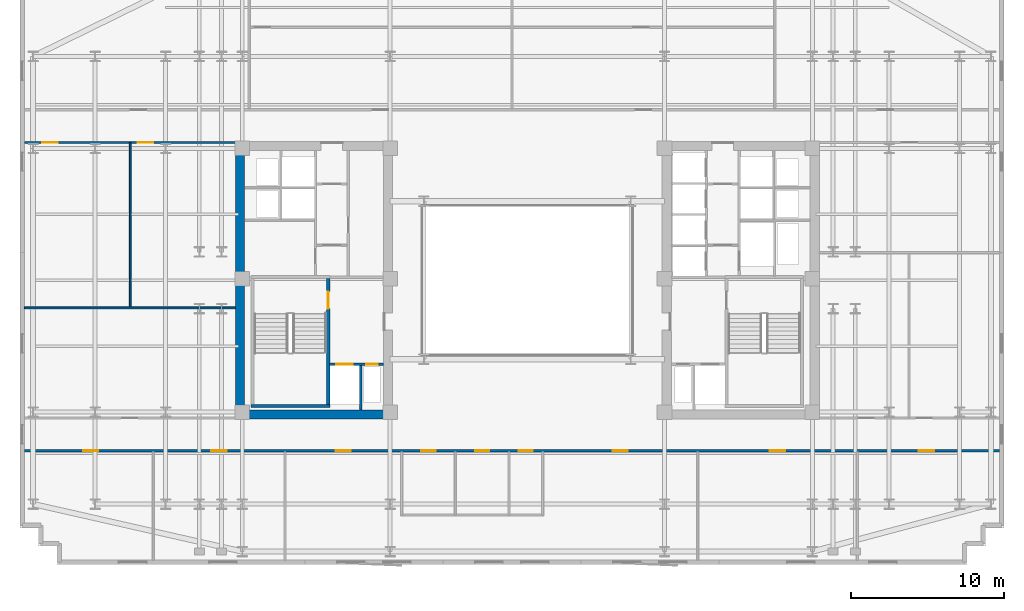
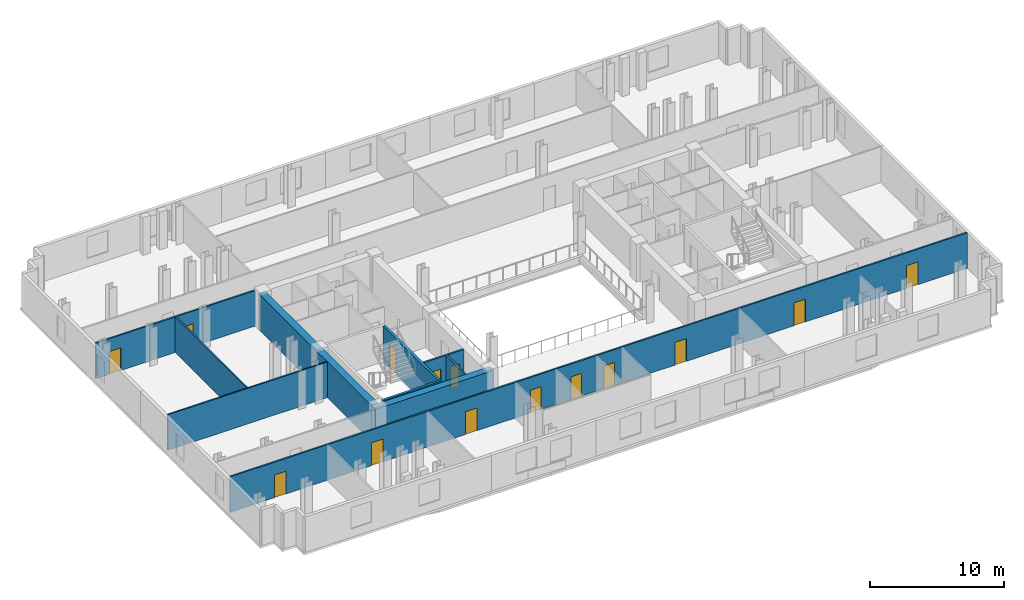
# One storey, part 4 of 10: 14 doors, 10 walls, 14 openings.
"""IFC4 building model written with IfcOpenShell, lengths in metres."""

from ifc_helpers import new_model, si_unit, direction, frame, frame_2d, origin, place, context, subcontext, project, spatial, rectangle, extrude, material, layer, layer_set, type_object, element, fill, save


model = new_model("IFC4")

# Units and contexts
model_context = context("Model", 3, precision=1e-05, world=origin(), true_north=direction((0.0, 1.0)))
body_context = subcontext(model_context, "Body", "Model", "MODEL_VIEW")
ifc_project = project(units=[si_unit("LENGTHUNIT", "METRE"), si_unit("AREAUNIT", "SQUARE_METRE"), si_unit("VOLUMEUNIT", "CUBIC_METRE"), si_unit("PLANEANGLEUNIT", "RADIAN"), si_unit("MASSUNIT", "GRAM", prefix="KILO")], contexts=[model_context])

# Site, building, storey
site_placement = place(None, origin())
site = spatial("IfcSite", under=ifc_project, at=site_placement, CompositionType="ELEMENT")
building_placement = place(site_placement, origin())
building = spatial("IfcBuilding", under=site, at=building_placement, Name="Velakula Bourse", CompositionType="ELEMENT")
storey_placement = place(building_placement, frame((0.0, 0.0, 145.0)))
storey = spatial("IfcBuildingStorey", under=building, at=storey_placement, Name="L39", CompositionType="ELEMENT", Elevation=145.0)

# Wall, opening, door
ifc_material_1 = material(Name="Concrete M50 (fck 50 MPa)", Category="concrete")
ifc_layer_1 = layer(ifc_material_1, 0.2099609375, Name="Concrete M50 (fck 50 MPa)", Category="concrete")
ifc_layer_set_1 = layer_set([ifc_layer_1], Name="Concrete M50 (fck 50 MPa)")
wall_type_1 = type_object("IfcWallType", Name="WL-CORE-210", PredefinedType="SHEAR", material=ifc_layer_set_1)
wall_1_placement = place(storey_placement, frame((-12.9951171875, -8.10009765625, 0.0), z_axis=(0.0, 0.0, 1.0), x_axis=(0.0, 1.0, 0.0)))
wall_1 = element("IfcWall", 1, at=wall_1_placement, inside=storey, type_object=wall_type_1, Name="L39 Core W Stairwell Shear Wall IN", PredefinedType="SHEAR", context=body_context, shape_type="SweptSolid", body=[
    extrude(rectangle(XDim=8.2001953125, YDim=0.2099609375, at=frame_2d((4.10009765625, 0.0))), origin(), (0.0, 0.0, 1.0), 3.27001953125),
])
opening_1_placement = place(wall_1_placement, frame((6.25, 0.0, 0.0)))
opening_1 = element("IfcOpeningElement", 2, at=opening_1_placement, cuts=wall_1, Name="Opening D-STW1", PredefinedType="OPENING", context=body_context, shape_type="SweptSolid", body=[
    extrude(rectangle(XDim=1.10009765625, YDim=2.14990234375, at=frame_2d((0.550048828125, 1.074951171875))), frame((0.0, 0.114990234375, 0.0), z_axis=(0.0, -1.0, 0.0), x_axis=(1.0, 0.0, 0.0)), (0.0, 0.0, 1.0), 0.22998046875),
])
ifc_material_2 = material(Name="Galvanised painted hollow steel fire door", Category="steel")
door_type_1 = type_object("IfcDoorType", Name="DR-FD120-1100x2150", OperationType="NOTDEFINED", PredefinedType="DOOR", material=ifc_material_2)
door_1_placement = place(opening_1_placement, origin())
door_1 = element("IfcDoor", 3, at=door_1_placement, inside=storey, type_object=door_type_1, Name="L39 Stair ST-W1 Fire Door", OperationType="SINGLE_SWING_LEFT", OverallHeight=2.14990234375, OverallWidth=1.10009765625, PredefinedType="DOOR", context=body_context, shape_type="SweptSolid", body=[
    extrude(rectangle(XDim=1.10009765625, YDim=2.14990234375, at=frame_2d((0.550048828125, 1.074951171875))), frame((0.0, 0.02490234375, 0.0), z_axis=(0.0, -1.0, 0.0), x_axis=(1.0, 0.0, 0.0)), (0.0, 0.0, 1.0), 0.050048828125),
])
fill(opening_1, door_1)

# Walls
wall_2_placement = place(storey_placement, frame((-18.030029296875, -8.205078125, 0.0), z_axis=(0.0, 0.0, 1.0), x_axis=(1.0, 0.0, 0.0)))
element("IfcWall", 4, at=wall_2_placement, inside=storey, type_object=wall_type_1, Name="L39 Core W Stairwell Shear Wall S", PredefinedType="SHEAR", context=body_context, shape_type="SweptSolid", body=[
    extrude(rectangle(XDim=5.14013671875, YDim=0.2099609375, at=frame_2d((2.570068359375, 0.0))), origin(), (0.0, 0.0, 1.0), 3.27001953125),
])
ifc_material_3 = material(Name="Concrete M70 (fck 70 MPa)", Category="concrete")
ifc_layer_2 = layer(ifc_material_3, 0.60009765625, Name="Concrete M70 (fck 70 MPa)", Category="concrete")
ifc_layer_set_2 = layer_set([ifc_layer_2], Name="Concrete M70 (fck 70 MPa)")
wall_type_2 = type_object("IfcWallType", Name="WL-CORE-600", PredefinedType="SHEAR", material=ifc_layer_set_2)
wall_3_placement = place(storey_placement, frame((-19.050048828125, -8.75, 0.0), z_axis=(0.0, 0.0, 1.0), x_axis=(1.0, 0.0, 0.0)))
element("IfcWall", 5, at=wall_3_placement, inside=storey, type_object=wall_type_2, Name="L39 Core W Shear Wall S", PredefinedType="SHEAR", context=body_context, shape_type="SweptSolid", body=[
    extrude(rectangle(XDim=10.25, YDim=0.60009765625, at=frame_2d((5.125, 0.0))), origin(), (0.0, 0.0, 1.0), 3.27001953125),
])
wall_4_placement = place(storey_placement, frame((-18.75, -8.449951171875, 0.0), z_axis=(0.0, 0.0, 1.0), x_axis=(0.0, 1.0, 0.0)))
element("IfcWall", 6, at=wall_4_placement, inside=storey, type_object=wall_type_2, Name="L39 Core W Shear Wall W", PredefinedType="SHEAR", context=body_context, shape_type="SweptSolid", body=[
    extrude(rectangle(XDim=16.89990234375, YDim=0.60009765625, at=frame_2d((8.449951171875, 0.0))), origin(), (0.0, 0.0, 1.0), 3.27001953125),
])
ifc_material_4 = material(Name="Fire-rated double-layer gypsum drywall partition", Category="gypsum")
ifc_layer_3 = layer(ifc_material_4, 0.1201171875, Name="Fire-rated double-layer gypsum drywall partition", Category="gypsum")
ifc_layer_set_3 = layer_set([ifc_layer_3], Name="Fire-rated double-layer gypsum drywall partition")
wall_type_3 = type_object("IfcWallType", Name="WL-PART-120", PredefinedType="STANDARD", material=ifc_layer_set_3)
wall_5_placement = place(storey_placement, frame((-32.820068359375, -1.800048828125, 0.0), z_axis=(0.0, 0.0, 1.0), x_axis=(1.0, 0.0, 0.0)))
element("IfcWall", 7, at=wall_5_placement, inside=storey, type_object=wall_type_3, Name="L39 Interior Partition WL-INT-L39-W-H", PredefinedType="STANDARD", context=body_context, shape_type="SweptSolid", body=[
    extrude(rectangle(XDim=13.77001953125, YDim=0.1201171875, at=frame_2d((6.885009765625, 0.0))), origin(), (0.0, 0.0, 1.0), 3.25),
])
wall_6_placement = place(storey_placement, frame((-25.905029296875, -1.739990234375, 0.0), z_axis=(0.0, 0.0, 1.0), x_axis=(0.0, 1.0, 0.0)))
element("IfcWall", 8, at=wall_6_placement, inside=storey, type_object=wall_type_3, Name="L39 Interior Partition WL-INT-L39-W-VN", PredefinedType="STANDARD", context=body_context, shape_type="SweptSolid", body=[
    extrude(rectangle(XDim=10.719970703125, YDim=0.1201171875, at=frame_2d((5.35986328125, 0.0))), origin(), (0.0, 0.0, 1.0), 3.25),
])

# Wall, openings, doors
ifc_layer_4 = layer(ifc_material_4, 0.139892578125, Name="Fire-rated double-layer gypsum drywall partition", Category="gypsum")
ifc_layer_set_4 = layer_set([ifc_layer_4], Name="Fire-rated double-layer gypsum drywall partition")
wall_type_4 = type_object("IfcWallType", Name="WL-PART-140", PredefinedType="STANDARD", material=ifc_layer_set_4)
wall_7_placement = place(storey_placement, frame((-32.820068359375, -11.1201171875, 0.0), z_axis=(0.0, 0.0, 1.0), x_axis=(1.0, 0.0, 0.0)))
wall_7 = element("IfcWall", 9, at=wall_7_placement, inside=storey, type_object=wall_type_4, Name="L39 Interior Partition WL-INT-L39-S-CORR", PredefinedType="STANDARD", context=body_context, shape_type="SweptSolid", body=[
    extrude(rectangle(XDim=63.64013671875, YDim=0.139892578125, at=frame_2d((31.820068359375, 0.0))), origin(), (0.0, 0.0, 1.0), 3.25),
])
opening_2_placement = place(wall_7_placement, frame((25.909912109375, 0.0, 0.0)))
opening_2 = element("IfcOpeningElement", 10, at=opening_2_placement, cuts=wall_7, Name="Opening D-WT1", PredefinedType="OPENING", context=body_context, shape_type="SweptSolid", body=[
    extrude(rectangle(XDim=0.919921875, YDim=2.080078125, at=frame_2d((0.4599609375, 1.0400390625))), frame((0.0, 0.079833984375, 0.0), z_axis=(0.0, -1.0, 0.0), x_axis=(1.0, 0.0, 0.0)), (0.0, 0.0, 1.0), 0.159912109375),
])
opening_3_placement = place(wall_7_placement, frame((29.409912109375, 0.0, 0.0)))
opening_3 = element("IfcOpeningElement", 11, at=opening_3_placement, cuts=wall_7, Name="Opening D-WT1", PredefinedType="OPENING", context=body_context, shape_type="SweptSolid", body=[
    extrude(rectangle(XDim=0.919921875, YDim=2.080078125, at=frame_2d((0.4599609375, 1.0400390625))), frame((0.0, 0.079833984375, 0.0), z_axis=(0.0, -1.0, 0.0), x_axis=(1.0, 0.0, 0.0)), (0.0, 0.0, 1.0), 0.159912109375),
])
opening_4_placement = place(wall_7_placement, frame((32.260009765625, 0.0, 0.0)))
opening_4 = element("IfcOpeningElement", 12, at=opening_4_placement, cuts=wall_7, Name="Opening D-WC1", PredefinedType="OPENING", context=body_context, shape_type="SweptSolid", body=[
    extrude(rectangle(XDim=0.919921875, YDim=2.080078125, at=frame_2d((0.4599609375, 1.0400390625))), frame((0.0, 0.079833984375, 0.0), z_axis=(0.0, -1.0, 0.0), x_axis=(1.0, 0.0, 0.0)), (0.0, 0.0, 1.0), 0.159912109375),
])
opening_5_placement = place(wall_7_placement, frame((3.8310546875, 0.0, 0.0)))
opening_5 = element("IfcOpeningElement", 13, at=opening_5_placement, cuts=wall_7, Name="Opening D-OF1", PredefinedType="OPENING", context=body_context, shape_type="SweptSolid", body=[
    extrude(rectangle(XDim=1.0, YDim=2.080078125, at=frame_2d((0.5, 1.0400390625))), frame((0.0, 0.079833984375, 0.0), z_axis=(0.0, -1.0, 0.0), x_axis=(1.0, 0.0, 0.0)), (0.0, 0.0, 1.0), 0.159912109375),
])
opening_6_placement = place(wall_7_placement, frame((12.2080078125, 0.0, 0.0)))
opening_6 = element("IfcOpeningElement", 14, at=opening_6_placement, cuts=wall_7, Name="Opening D-OF1", PredefinedType="OPENING", context=body_context, shape_type="SweptSolid", body=[
    extrude(rectangle(XDim=1.0, YDim=2.080078125, at=frame_2d((0.5, 1.0400390625))), frame((0.0, 0.079833984375, 0.0), z_axis=(0.0, -1.0, 0.0), x_axis=(1.0, 0.0, 0.0)), (0.0, 0.0, 1.0), 0.159912109375),
])
opening_7_placement = place(wall_7_placement, frame((20.31298828125, 0.0, 0.0)))
opening_7 = element("IfcOpeningElement", 15, at=opening_7_placement, cuts=wall_7, Name="Opening D-OF1", PredefinedType="OPENING", context=body_context, shape_type="SweptSolid", body=[
    extrude(rectangle(XDim=1.0, YDim=2.080078125, at=frame_2d((0.5, 1.0400390625))), frame((0.0, 0.079833984375, 0.0), z_axis=(0.0, -1.0, 0.0), x_axis=(1.0, 0.0, 0.0)), (0.0, 0.0, 1.0), 0.159912109375),
])
opening_8_placement = place(wall_7_placement, frame((38.37890625, 0.0, 0.0)))
opening_8 = element("IfcOpeningElement", 16, at=opening_8_placement, cuts=wall_7, Name="Opening D-OF1", PredefinedType="OPENING", context=body_context, shape_type="SweptSolid", body=[
    extrude(rectangle(XDim=1.0, YDim=2.080078125, at=frame_2d((0.5, 1.0400390625))), frame((0.0, 0.079833984375, 0.0), z_axis=(0.0, -1.0, 0.0), x_axis=(1.0, 0.0, 0.0)), (0.0, 0.0, 1.0), 0.159912109375),
])
opening_9_placement = place(wall_7_placement, frame((48.64599609375, 0.0, 0.0)))
opening_9 = element("IfcOpeningElement", 17, at=opening_9_placement, cuts=wall_7, Name="Opening D-OF1", PredefinedType="OPENING", context=body_context, shape_type="SweptSolid", body=[
    extrude(rectangle(XDim=1.0, YDim=2.080078125, at=frame_2d((0.5, 1.0400390625))), frame((0.0, 0.079833984375, 0.0), z_axis=(0.0, -1.0, 0.0), x_axis=(1.0, 0.0, 0.0)), (0.0, 0.0, 1.0), 0.159912109375),
])
opening_10_placement = place(wall_7_placement, frame((58.37109375, 0.0, 0.0)))
opening_10 = element("IfcOpeningElement", 18, at=opening_10_placement, cuts=wall_7, Name="Opening D-OF1", PredefinedType="OPENING", context=body_context, shape_type="SweptSolid", body=[
    extrude(rectangle(XDim=1.0, YDim=2.080078125, at=frame_2d((0.5, 1.0400390625))), frame((0.0, 0.079833984375, 0.0), z_axis=(0.0, -1.0, 0.0), x_axis=(1.0, 0.0, 0.0)), (0.0, 0.0, 1.0), 0.159912109375),
])
ifc_material_5 = material(Name="Fire-rated hardwood flush architectural door", Category="wood")
door_type_2 = type_object("IfcDoorType", Name="DR-OFF-1000", OperationType="NOTDEFINED", PredefinedType="DOOR", material=ifc_material_5)
door_2_placement = place(opening_5_placement, origin())
door_2 = element("IfcDoor", 19, at=door_2_placement, inside=storey, type_object=door_type_2, Name="L39 Breakout Dining Lounge Door", OperationType="SINGLE_SWING_RIGHT", OverallHeight=2.080078125, OverallWidth=1.0, PredefinedType="DOOR", context=body_context, shape_type="SweptSolid", body=[
    extrude(rectangle(XDim=1.0, YDim=2.080078125, at=frame_2d((0.5, 1.0400390625))), frame((0.0, 0.02490234375, 0.0), z_axis=(0.0, -1.0, 0.0), x_axis=(1.0, 0.0, 0.0)), (0.0, 0.0, 1.0), 0.050048828125),
])
fill(opening_5, door_2)
door_3_placement = place(opening_6_placement, origin())
door_3 = element("IfcDoor", 20, at=door_3_placement, inside=storey, type_object=door_type_2, Name="L39 Issuer Relations Office Door", OperationType="SINGLE_SWING_LEFT", OverallHeight=2.080078125, OverallWidth=1.0, PredefinedType="DOOR", context=body_context, shape_type="SweptSolid", body=[
    extrude(rectangle(XDim=1.0, YDim=2.080078125, at=frame_2d((0.5, 1.0400390625))), frame((0.0, 0.02490234375, 0.0), z_axis=(0.0, -1.0, 0.0), x_axis=(1.0, 0.0, 0.0)), (0.0, 0.0, 1.0), 0.050048828125),
])
fill(opening_6, door_3)
door_4_placement = place(opening_7_placement, origin())
door_4 = element("IfcDoor", 21, at=door_4_placement, inside=storey, type_object=door_type_2, Name="L39 Clearing Committee Room Door", OperationType="SINGLE_SWING_RIGHT", OverallHeight=2.080078125, OverallWidth=1.0, PredefinedType="DOOR", context=body_context, shape_type="SweptSolid", body=[
    extrude(rectangle(XDim=1.0, YDim=2.080078125, at=frame_2d((0.5, 1.0400390625))), frame((0.0, 0.02490234375, 0.0), z_axis=(0.0, -1.0, 0.0), x_axis=(1.0, 0.0, 0.0)), (0.0, 0.0, 1.0), 0.050048828125),
])
fill(opening_7, door_4)
door_5_placement = place(opening_8_placement, origin())
door_5 = element("IfcDoor", 22, at=door_5_placement, inside=storey, type_object=door_type_2, Name="L39 Tea Room Kitchenette Door", OperationType="SINGLE_SWING_LEFT", OverallHeight=2.080078125, OverallWidth=1.0, PredefinedType="DOOR", context=body_context, shape_type="SweptSolid", body=[
    extrude(rectangle(XDim=1.0, YDim=2.080078125, at=frame_2d((0.5, 1.0400390625))), frame((0.0, 0.02490234375, 0.0), z_axis=(0.0, -1.0, 0.0), x_axis=(1.0, 0.0, 0.0)), (0.0, 0.0, 1.0), 0.050048828125),
])
fill(opening_8, door_5)
door_6_placement = place(opening_9_placement, origin())
door_6 = element("IfcDoor", 23, at=door_6_placement, inside=storey, type_object=door_type_2, Name="L39 Cash Equities Dealing Workspace Door", OperationType="SINGLE_SWING_RIGHT", OverallHeight=2.080078125, OverallWidth=1.0, PredefinedType="DOOR", context=body_context, shape_type="SweptSolid", body=[
    extrude(rectangle(XDim=1.0, YDim=2.080078125, at=frame_2d((0.5, 1.0400390625))), frame((0.0, 0.02490234375, 0.0), z_axis=(0.0, -1.0, 0.0), x_axis=(1.0, 0.0, 0.0)), (0.0, 0.0, 1.0), 0.050048828125),
])
fill(opening_9, door_6)
door_7_placement = place(opening_10_placement, origin())
door_7 = element("IfcDoor", 24, at=door_7_placement, inside=storey, type_object=door_type_2, Name="L39 Asset Allocation Office Door", OperationType="SINGLE_SWING_LEFT", OverallHeight=2.080078125, OverallWidth=1.0, PredefinedType="DOOR", context=body_context, shape_type="SweptSolid", body=[
    extrude(rectangle(XDim=1.0, YDim=2.080078125, at=frame_2d((0.5, 1.0400390625))), frame((0.0, 0.02490234375, 0.0), z_axis=(0.0, -1.0, 0.0), x_axis=(1.0, 0.0, 0.0)), (0.0, 0.0, 1.0), 0.050048828125),
])
fill(opening_10, door_7)
door_type_3 = type_object("IfcDoorType", Name="DR-WC-950", OperationType="NOTDEFINED", PredefinedType="DOOR", material=ifc_material_5)
door_8_placement = place(opening_2_placement, origin())
door_8 = element("IfcDoor", 25, at=door_8_placement, inside=storey, type_object=door_type_3, Name="L39 Male Staff Toilet Door", OperationType="SINGLE_SWING_LEFT", OverallHeight=2.080078125, OverallWidth=0.919921875, PredefinedType="DOOR", context=body_context, shape_type="SweptSolid", body=[
    extrude(rectangle(XDim=0.919921875, YDim=2.080078125, at=frame_2d((0.4599609375, 1.0400390625))), frame((0.0, 0.02490234375, 0.0), z_axis=(0.0, -1.0, 0.0), x_axis=(1.0, 0.0, 0.0)), (0.0, 0.0, 1.0), 0.050048828125),
])
fill(opening_2, door_8)
door_9_placement = place(opening_3_placement, origin())
door_9 = element("IfcDoor", 26, at=door_9_placement, inside=storey, type_object=door_type_3, Name="L39 Female Staff Toilet Door", OperationType="SINGLE_SWING_RIGHT", OverallHeight=2.080078125, OverallWidth=0.919921875, PredefinedType="DOOR", context=body_context, shape_type="SweptSolid", body=[
    extrude(rectangle(XDim=0.919921875, YDim=2.080078125, at=frame_2d((0.4599609375, 1.0400390625))), frame((0.0, 0.02490234375, 0.0), z_axis=(0.0, -1.0, 0.0), x_axis=(1.0, 0.0, 0.0)), (0.0, 0.0, 1.0), 0.050048828125),
])
fill(opening_3, door_9)
door_10_placement = place(opening_4_placement, origin())
door_10 = element("IfcDoor", 27, at=door_10_placement, inside=storey, type_object=door_type_3, Name="L39 Accessible WC Door", OperationType="SINGLE_SWING_LEFT", OverallHeight=2.080078125, OverallWidth=0.919921875, PredefinedType="DOOR", context=body_context, shape_type="SweptSolid", body=[
    extrude(rectangle(XDim=0.919921875, YDim=2.080078125, at=frame_2d((0.4599609375, 1.0400390625))), frame((0.0, 0.02490234375, 0.0), z_axis=(0.0, -1.0, 0.0), x_axis=(1.0, 0.0, 0.0)), (0.0, 0.0, 1.0), 0.050048828125),
])
fill(opening_4, door_10)

wall_8_placement = place(storey_placement, frame((-32.820068359375, 8.97998046875, 0.0), z_axis=(0.0, 0.0, 1.0), x_axis=(1.0, 0.0, 0.0)))
wall_8 = element("IfcWall", 28, at=wall_8_placement, inside=storey, type_object=wall_type_4, Name="L39 Interior Partition WL-INT-L39-W-NC", PredefinedType="STANDARD", context=body_context, shape_type="SweptSolid", body=[
    extrude(rectangle(XDim=13.77001953125, YDim=0.139892578125, at=frame_2d((6.885009765625, 0.0))), origin(), (0.0, 0.0, 1.0), 3.25),
])
opening_11_placement = place(wall_8_placement, frame((1.17138671875, 0.0, 0.0)))
opening_11 = element("IfcOpeningElement", 29, at=opening_11_placement, cuts=wall_8, Name="Opening D-OF1", PredefinedType="OPENING", context=body_context, shape_type="SweptSolid", body=[
    extrude(rectangle(XDim=1.0, YDim=2.080078125, at=frame_2d((0.5, 1.0400390625))), frame((0.0, 0.079833984375, 0.0), z_axis=(0.0, -1.0, 0.0), x_axis=(1.0, 0.0, 0.0)), (0.0, 0.0, 1.0), 0.159912109375),
])
opening_12_placement = place(wall_8_placement, frame((7.4130859375, 0.0, 0.0)))
opening_12 = element("IfcOpeningElement", 30, at=opening_12_placement, cuts=wall_8, Name="Opening D-OF1", PredefinedType="OPENING", context=body_context, shape_type="SweptSolid", body=[
    extrude(rectangle(XDim=1.0, YDim=2.080078125, at=frame_2d((0.5, 1.0400390625))), frame((0.0, 0.079833984375, 0.0), z_axis=(0.0, -1.0, 0.0), x_axis=(1.0, 0.0, 0.0)), (0.0, 0.0, 1.0), 0.159912109375),
])
door_11_placement = place(opening_11_placement, origin())
door_11 = element("IfcDoor", 31, at=door_11_placement, inside=storey, type_object=door_type_2, Name="L39 Asset Allocation Office Door", OperationType="SINGLE_SWING_RIGHT", OverallHeight=2.080078125, OverallWidth=1.0, PredefinedType="DOOR", context=body_context, shape_type="SweptSolid", body=[
    extrude(rectangle(XDim=1.0, YDim=2.080078125, at=frame_2d((0.5, 1.0400390625))), frame((0.0, 0.02490234375, 0.0), z_axis=(0.0, -1.0, 0.0), x_axis=(1.0, 0.0, 0.0)), (0.0, 0.0, 1.0), 0.050048828125),
])
fill(opening_11, door_11)
door_12_placement = place(opening_12_placement, origin())
door_12 = element("IfcDoor", 32, at=door_12_placement, inside=storey, type_object=door_type_2, Name="L39 Executive Boardroom Door", OperationType="SINGLE_SWING_LEFT", OverallHeight=2.080078125, OverallWidth=1.0, PredefinedType="DOOR", context=body_context, shape_type="SweptSolid", body=[
    extrude(rectangle(XDim=1.0, YDim=2.080078125, at=frame_2d((0.5, 1.0400390625))), frame((0.0, 0.02490234375, 0.0), z_axis=(0.0, -1.0, 0.0), x_axis=(1.0, 0.0, 0.0)), (0.0, 0.0, 1.0), 0.050048828125),
])
fill(opening_12, door_12)

ifc_material_6 = material(Name="Autoclaved aerated concrete blockwork masonry", Category="masonry")
ifc_layer_5 = layer(ifc_material_6, 0.14990234375, Name="Autoclaved aerated concrete blockwork masonry", Category="masonry")
ifc_layer_set_5 = layer_set([ifc_layer_5], Name="Autoclaved aerated concrete blockwork masonry")
wall_type_5 = type_object("IfcWallType", Name="WL-SHAFT-150", PredefinedType="STANDARD", material=ifc_layer_set_5)
wall_9_placement = place(storey_placement, frame((-12.89501953125, -5.47509765625, 0.0), z_axis=(0.0, 0.0, 1.0), x_axis=(1.0, 0.0, 0.0)))
wall_9 = element("IfcWall", 33, at=wall_9_placement, inside=storey, type_object=wall_type_5, Name="L39 Interior Partition WL-CRW-L39-FFL-N", PredefinedType="STANDARD", context=body_context, shape_type="SweptSolid", body=[
    extrude(rectangle(XDim=3.4951171875, YDim=0.14990234375, at=frame_2d((1.74755859375, 0.0))), origin(), (0.0, 0.0, 1.0), 3.25),
])
opening_13_placement = place(wall_9_placement, frame((0.419921875, 0.0, 0.0)))
opening_13 = element("IfcOpeningElement", 34, at=opening_13_placement, cuts=wall_9, Name="Opening LD-FFL-1", PredefinedType="OPENING", context=body_context, shape_type="SweptSolid", body=[
    extrude(rectangle(XDim=1.10009765625, YDim=2.14990234375, at=frame_2d((0.550048828125, 1.074951171875))), frame((0.0, 0.0849609375, 0.0), z_axis=(0.0, -1.0, 0.0), x_axis=(1.0, 0.0, 0.0)), (0.0, 0.0, 1.0), 0.169921875),
])
opening_14_placement = place(wall_9_placement, frame((2.3701171875, 0.0, 0.0)))
opening_14 = element("IfcOpeningElement", 35, at=opening_14_placement, cuts=wall_9, Name="Opening D-RS1", PredefinedType="OPENING", context=body_context, shape_type="SweptSolid", body=[
    extrude(rectangle(XDim=0.75, YDim=2.050048828125, at=frame_2d((0.375, 1.02490234375))), frame((0.0, 0.0849609375, 0.0), z_axis=(0.0, -1.0, 0.0), x_axis=(1.0, 0.0, 0.0)), (0.0, 0.0, 1.0), 0.169921875),
])
door_type_4 = type_object("IfcDoorType", Name="DR-RISER-800", OperationType="NOTDEFINED", PredefinedType="DOOR", material=ifc_material_2)
door_13_placement = place(opening_14_placement, origin())
door_13 = element("IfcDoor", 36, at=door_13_placement, inside=storey, type_object=door_type_4, Name="L39 Fire Riser Access Door", OperationType="SINGLE_SWING_LEFT", OverallHeight=2.050048828125, OverallWidth=0.75, PredefinedType="DOOR", context=body_context, shape_type="SweptSolid", body=[
    extrude(rectangle(XDim=0.75, YDim=2.050048828125, at=frame_2d((0.375, 1.02490234375))), frame((0.0, 0.02490234375, 0.0), z_axis=(0.0, -1.0, 0.0), x_axis=(1.0, 0.0, 0.0)), (0.0, 0.0, 1.0), 0.050048828125),
])
fill(opening_14, door_13)
ifc_material_7 = material(Name="Brushed grade 316 stainless steel", Category="steel")
door_type_5 = type_object("IfcDoorType", Name="DR-SLIDE-FFL-1100", OperationType="DOUBLE_DOOR_SLIDING", PredefinedType="DOOR", material=ifc_material_7)
door_14_placement = place(opening_13_placement, origin())
door_14 = element("IfcDoor", 37, at=door_14_placement, inside=storey, type_object=door_type_5, Name="L39 Firefighting Lift FFL-1 Sliding Landing Door", OperationType="DOUBLE_DOOR_SLIDING", OverallHeight=2.14990234375, OverallWidth=1.10009765625, PredefinedType="DOOR", context=body_context, shape_type="SweptSolid", body=[
    extrude(rectangle(XDim=1.10009765625, YDim=2.14990234375, at=frame_2d((0.550048828125, 1.074951171875))), frame((0.0, 0.02490234375, 0.0), z_axis=(0.0, -1.0, 0.0), x_axis=(1.0, 0.0, 0.0)), (0.0, 0.0, 1.0), 0.050048828125),
])
fill(opening_13, door_14)

# Wall
wall_10_placement = place(storey_placement, frame((-10.875, -8.449951171875, 0.0), z_axis=(0.0, 0.0, 1.0), x_axis=(0.0, 1.0, 0.0)))
element("IfcWall", 38, at=wall_10_placement, inside=storey, type_object=wall_type_5, Name="L39 Interior Partition WL-CRW-L39-FR-DIV", PredefinedType="STANDARD", context=body_context, shape_type="SweptSolid", body=[
    extrude(rectangle(XDim=2.89990234375, YDim=0.14990234375, at=frame_2d((1.449951171875, 0.0))), origin(), (0.0, 0.0, 1.0), 3.25),
])

save(model, "model.ifc")
